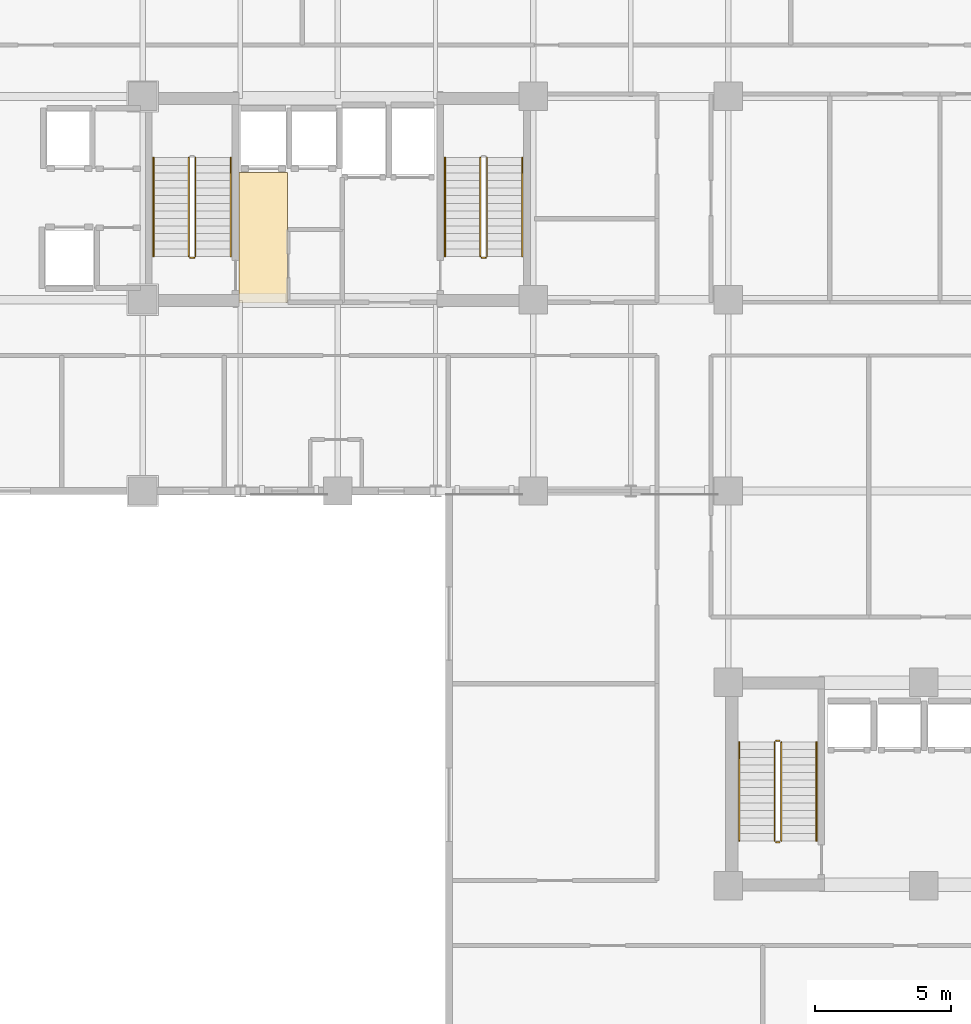
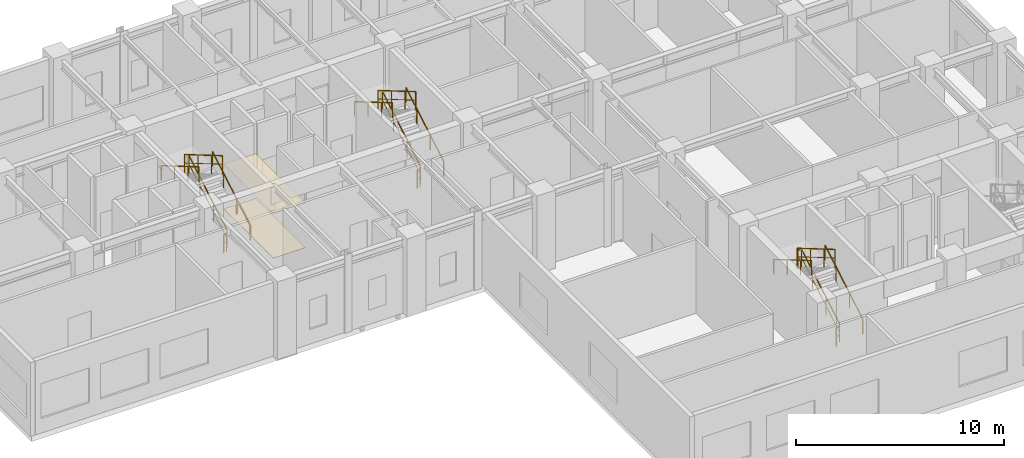
# One storey, part 11 of 14: 16 railings, 2 coverings.
"""IFC4 building model written with IfcOpenShell, lengths in metres."""

from ifc_helpers import new_model, si_unit, direction, frame, origin, origin_2d, place, context, subcontext, project, spatial, rectangle, extrude, source, transform, mapped, material, layer, layer_set, type_object, element, save


model = new_model("IFC4")

# Units and contexts
model_context = context("Model", 3, precision=1e-05, world=origin(), true_north=direction((0.0, 1.0)))
body_context = subcontext(model_context, "Body", "Model", "MODEL_VIEW")
ifc_project = project(units=[si_unit("LENGTHUNIT", "METRE"), si_unit("AREAUNIT", "SQUARE_METRE"), si_unit("VOLUMEUNIT", "CUBIC_METRE"), si_unit("PLANEANGLEUNIT", "RADIAN"), si_unit("MASSUNIT", "GRAM", prefix="KILO")], contexts=[model_context])

# Site, building, storey
site_placement = place(None, origin())
site = spatial("IfcSite", under=ifc_project, at=site_placement, CompositionType="ELEMENT")
building_placement = place(site_placement, origin())
building = spatial("IfcBuilding", under=site, at=building_placement, Name="Kaliganga Portal Commons", CompositionType="ELEMENT")
storey_placement = place(building_placement, frame((0.0, 0.0, 135.60009765625)))
storey = spatial("IfcBuildingStorey", under=building, at=storey_placement, Name="L34", CompositionType="ELEMENT", Elevation=135.60009765625)

# Railings
ifc_material_1 = material(Name="Galvanized Painted Steel Balustrade", Category="steel")
railing_type_1 = type_object("IfcRailingType", Name="RLG-STAIR-GRD", PredefinedType="GUARDRAIL", material=ifc_material_1)
railing_1_placement = place(storey_placement, frame((16.35009765625, 30.25, 0.164306640625)))
element("IfcRailing", 1, at=railing_1_placement, inside=storey, type_object=railing_type_1, Name="L34 ST-A1 stair guard 1", PredefinedType="GUARDRAIL", context=body_context, shape_type="SweptSolid", body=[
    extrude(rectangle(XDim=0.048095703125, YDim=0.048095703125, at=origin_2d()), frame((0.0, 0.0, 1.072265625), z_axis=(0.0, 0.862515142463, 0.50603125301), x_axis=(-1.0, 0.0, 0.0)), (0.0, 0.0, 1.0), 4.219970703125),
    extrude(rectangle(XDim=0.028076171875, YDim=0.028076171875, at=origin_2d()), frame((0.0, 0.0, 0.572021484375), z_axis=(0.0, 0.862515142463, 0.50603125301), x_axis=(-1.0, 0.0, 0.0)), (0.0, 0.0, 1.0), 4.219970703125),
    extrude(rectangle(XDim=0.0419921875, YDim=0.0419921875, at=origin_2d()), origin(), (0.0, 0.0, 1.0), 1.052001953125),
    extrude(rectangle(XDim=0.0419921875, YDim=0.0419921875, at=origin_2d()), frame((0.0, 1.293701171875, 0.759033203125)), (0.0, 0.0, 1.0), 1.052001953125),
    extrude(rectangle(XDim=0.0419921875, YDim=0.0419921875, at=origin_2d()), frame((0.0, 2.587646484375, 1.51806640625)), (0.0, 0.0, 1.0), 1.052001953125),
    extrude(rectangle(XDim=0.0419921875, YDim=0.0419921875, at=origin_2d()), frame((0.0, 3.639892578125, 2.135498046875)), (0.0, 0.0, 1.0), 1.052001953125),
])
railing_2_placement = place(storey_placement, frame((16.10009765625, 33.889892578125, 2.464111328125)))
element("IfcRailing", 2, at=railing_2_placement, inside=storey, type_object=railing_type_1, Name="L34 ST-A1 stair guard 3", PredefinedType="GUARDRAIL", context=body_context, shape_type="SweptSolid", body=[
    extrude(rectangle(XDim=0.048095703125, YDim=0.048095703125, at=origin_2d()), frame((0.0, 0.0, 1.072265625), z_axis=(0.0, -0.862489892076, 0.506074289079), x_axis=(1.0, 0.0, 0.0)), (0.0, 0.0, 1.0), 4.22021484375),
    extrude(rectangle(XDim=0.028076171875, YDim=0.028076171875, at=origin_2d()), frame((0.0, 0.0, 0.572021484375), z_axis=(0.0, -0.862489892076, 0.506074289079), x_axis=(1.0, 0.0, 0.0)), (0.0, 0.0, 1.0), 4.22021484375),
    extrude(rectangle(XDim=0.0419921875, YDim=0.0419921875, at=origin_2d()), origin(), (0.0, 0.0, 1.0), 1.052001953125),
    extrude(rectangle(XDim=0.0419921875, YDim=0.0419921875, at=origin_2d()), frame((0.0, -1.293701171875, 0.759033203125)), (0.0, 0.0, 1.0), 1.052001953125),
    extrude(rectangle(XDim=0.0419921875, YDim=0.0419921875, at=origin_2d()), frame((0.0, -2.58740234375, 1.518310546875)), (0.0, 0.0, 1.0), 1.052001953125),
    extrude(rectangle(XDim=0.0419921875, YDim=0.0419921875, at=origin_2d()), frame((0.0, -3.639892578125, 2.1357421875)), (0.0, 0.0, 1.0), 1.052001953125),
])
railing_3_placement = place(storey_placement, frame((16.300048828125, 30.199951171875, 0.0)))
element("IfcRailing", 3, at=railing_3_placement, inside=storey, type_object=railing_type_1, Name="L34 ST-A1 stair guard 4", PredefinedType="GUARDRAIL", context=body_context, shape_type="SweptSolid", body=[
    extrude(rectangle(XDim=0.048095703125, YDim=0.048095703125, at=origin_2d()), frame((0.0, 0.0, 1.076171875), z_axis=(-1.0, 0.0, 0.0), x_axis=(0.0, -1.0, 0.0)), (0.0, 0.0, 1.0), 0.150146484375),
    extrude(rectangle(XDim=0.028076171875, YDim=0.028076171875, at=origin_2d()), frame((0.0, 0.0, 0.572021484375), z_axis=(-1.0, 0.0, 0.0), x_axis=(0.0, -1.0, 0.0)), (0.0, 0.0, 1.0), 0.150146484375),
    extrude(rectangle(XDim=0.0419921875, YDim=0.0419921875, at=origin_2d()), origin(), (0.0, 0.0, 1.0), 1.052001953125),
    extrude(rectangle(XDim=0.0419921875, YDim=0.0419921875, at=origin_2d()), frame((-0.150146484375, 0.0, 0.0)), (0.0, 0.0, 1.0), 1.052001953125),
])
railing_4_placement = place(storey_placement, frame((27.10009765625, 30.25, 0.164306640625)))
element("IfcRailing", 4, at=railing_4_placement, inside=storey, type_object=railing_type_1, Name="L34 ST-A2 stair guard 1", PredefinedType="GUARDRAIL", context=body_context, shape_type="SweptSolid", body=[
    extrude(rectangle(XDim=0.048095703125, YDim=0.048095703125, at=origin_2d()), frame((0.0, 0.0, 1.072265625), z_axis=(0.0, 0.862515142463, 0.50603125301), x_axis=(-1.0, 0.0, 0.0)), (0.0, 0.0, 1.0), 4.219970703125),
    extrude(rectangle(XDim=0.028076171875, YDim=0.028076171875, at=origin_2d()), frame((0.0, 0.0, 0.572021484375), z_axis=(0.0, 0.862515142463, 0.50603125301), x_axis=(-1.0, 0.0, 0.0)), (0.0, 0.0, 1.0), 4.219970703125),
    extrude(rectangle(XDim=0.0419921875, YDim=0.0419921875, at=origin_2d()), origin(), (0.0, 0.0, 1.0), 1.052001953125),
    extrude(rectangle(XDim=0.0419921875, YDim=0.0419921875, at=origin_2d()), frame((0.0, 1.293701171875, 0.759033203125)), (0.0, 0.0, 1.0), 1.052001953125),
    extrude(rectangle(XDim=0.0419921875, YDim=0.0419921875, at=origin_2d()), frame((0.0, 2.587646484375, 1.51806640625)), (0.0, 0.0, 1.0), 1.052001953125),
    extrude(rectangle(XDim=0.0419921875, YDim=0.0419921875, at=origin_2d()), frame((0.0, 3.639892578125, 2.135498046875)), (0.0, 0.0, 1.0), 1.052001953125),
])
railing_5_placement = place(storey_placement, frame((26.85009765625, 33.889892578125, 2.464111328125)))
element("IfcRailing", 5, at=railing_5_placement, inside=storey, type_object=railing_type_1, Name="L34 ST-A2 stair guard 3", PredefinedType="GUARDRAIL", context=body_context, shape_type="SweptSolid", body=[
    extrude(rectangle(XDim=0.048095703125, YDim=0.048095703125, at=origin_2d()), frame((0.0, 0.0, 1.072265625), z_axis=(0.0, -0.862489892076, 0.506074289079), x_axis=(1.0, 0.0, 0.0)), (0.0, 0.0, 1.0), 4.22021484375),
    extrude(rectangle(XDim=0.028076171875, YDim=0.028076171875, at=origin_2d()), frame((0.0, 0.0, 0.572021484375), z_axis=(0.0, -0.862489892076, 0.506074289079), x_axis=(1.0, 0.0, 0.0)), (0.0, 0.0, 1.0), 4.22021484375),
    extrude(rectangle(XDim=0.0419921875, YDim=0.0419921875, at=origin_2d()), origin(), (0.0, 0.0, 1.0), 1.052001953125),
    extrude(rectangle(XDim=0.0419921875, YDim=0.0419921875, at=origin_2d()), frame((0.0, -1.293701171875, 0.759033203125)), (0.0, 0.0, 1.0), 1.052001953125),
    extrude(rectangle(XDim=0.0419921875, YDim=0.0419921875, at=origin_2d()), frame((0.0, -2.58740234375, 1.518310546875)), (0.0, 0.0, 1.0), 1.052001953125),
    extrude(rectangle(XDim=0.0419921875, YDim=0.0419921875, at=origin_2d()), frame((0.0, -3.639892578125, 2.1357421875)), (0.0, 0.0, 1.0), 1.052001953125),
])
railing_6_placement = place(storey_placement, frame((27.050048828125, 30.199951171875, 0.0)))
element("IfcRailing", 6, at=railing_6_placement, inside=storey, type_object=railing_type_1, Name="L34 ST-A2 stair guard 4", PredefinedType="GUARDRAIL", context=body_context, shape_type="SweptSolid", body=[
    extrude(rectangle(XDim=0.048095703125, YDim=0.048095703125, at=origin_2d()), frame((0.0, 0.0, 1.076171875), z_axis=(-1.0, 0.0, 0.0), x_axis=(0.0, -1.0, 0.0)), (0.0, 0.0, 1.0), 0.150146484375),
    extrude(rectangle(XDim=0.028076171875, YDim=0.028076171875, at=origin_2d()), frame((0.0, 0.0, 0.572021484375), z_axis=(-1.0, 0.0, 0.0), x_axis=(0.0, -1.0, 0.0)), (0.0, 0.0, 1.0), 0.150146484375),
    extrude(rectangle(XDim=0.0419921875, YDim=0.0419921875, at=origin_2d()), origin(), (0.0, 0.0, 1.0), 1.052001953125),
    extrude(rectangle(XDim=0.0419921875, YDim=0.0419921875, at=origin_2d()), frame((-0.150146484375, 0.0, 0.0)), (0.0, 0.0, 1.0), 1.052001953125),
])
railing_7_placement = place(storey_placement, frame((37.949951171875, 8.699951171875, 0.164306640625)))
element("IfcRailing", 7, at=railing_7_placement, inside=storey, type_object=railing_type_1, Name="L34 ST-B1 stair guard 1", PredefinedType="GUARDRAIL", context=body_context, shape_type="SweptSolid", body=[
    extrude(rectangle(XDim=0.048095703125, YDim=0.048095703125, at=origin_2d()), frame((0.0, 0.0, 1.072265625), z_axis=(0.0, 0.862529955373, 0.506006004), x_axis=(-1.0, 0.0, 0.0)), (0.0, 0.0, 1.0), 4.22021484375),
    extrude(rectangle(XDim=0.028076171875, YDim=0.028076171875, at=origin_2d()), frame((0.0, 0.0, 0.572021484375), z_axis=(0.0, 0.862529955373, 0.506006004), x_axis=(-1.0, 0.0, 0.0)), (0.0, 0.0, 1.0), 4.22021484375),
    extrude(rectangle(XDim=0.0419921875, YDim=0.0419921875, at=origin_2d()), origin(), (0.0, 0.0, 1.0), 1.052001953125),
    extrude(rectangle(XDim=0.0419921875, YDim=0.0419921875, at=origin_2d()), frame((0.0, 1.293701171875, 0.759033203125)), (0.0, 0.0, 1.0), 1.052001953125),
    extrude(rectangle(XDim=0.0419921875, YDim=0.0419921875, at=origin_2d()), frame((0.0, 2.587646484375, 1.51806640625)), (0.0, 0.0, 1.0), 1.052001953125),
    extrude(rectangle(XDim=0.0419921875, YDim=0.0419921875, at=origin_2d()), frame((0.0, 3.64013671875, 2.135498046875)), (0.0, 0.0, 1.0), 1.052001953125),
])
railing_8_placement = place(storey_placement, frame((37.89990234375, 12.389892578125, 2.2998046875)))
element("IfcRailing", 8, at=railing_8_placement, inside=storey, type_object=railing_type_1, Name="L34 ST-B1 stair guard 2", PredefinedType="GUARDRAIL", context=body_context, shape_type="SweptSolid", body=[
    extrude(rectangle(XDim=0.048095703125, YDim=0.048095703125, at=origin_2d()), frame((0.0, 0.0, 1.076171875), z_axis=(-1.0, 0.0, 0.0), x_axis=(0.0, -1.0, 0.0)), (0.0, 0.0, 1.0), 0.14990234375),
    extrude(rectangle(XDim=0.028076171875, YDim=0.028076171875, at=origin_2d()), frame((0.0, 0.0, 0.572021484375), z_axis=(-1.0, 0.0, 0.0), x_axis=(0.0, -1.0, 0.0)), (0.0, 0.0, 1.0), 0.14990234375),
    extrude(rectangle(XDim=0.0419921875, YDim=0.0419921875, at=origin_2d()), frame((-0.14990234375, 0.0, 0.0)), (0.0, 0.0, 1.0), 1.052001953125),
])
railing_9_placement = place(storey_placement, frame((37.699951171875, 12.340087890625, 2.464111328125)))
element("IfcRailing", 9, at=railing_9_placement, inside=storey, type_object=railing_type_1, Name="L34 ST-B1 stair guard 3", PredefinedType="GUARDRAIL", context=body_context, shape_type="SweptSolid", body=[
    extrude(rectangle(XDim=0.048095703125, YDim=0.048095703125, at=origin_2d()), frame((0.0, 0.0, 1.072265625), z_axis=(0.0, -0.862504707072, 0.506049039401), x_axis=(1.0, 0.0, 0.0)), (0.0, 0.0, 1.0), 4.220458984375),
    extrude(rectangle(XDim=0.028076171875, YDim=0.028076171875, at=origin_2d()), frame((0.0, 0.0, 0.572021484375), z_axis=(0.0, -0.862504707072, 0.506049039401), x_axis=(1.0, 0.0, 0.0)), (0.0, 0.0, 1.0), 4.220458984375),
    extrude(rectangle(XDim=0.0419921875, YDim=0.0419921875, at=origin_2d()), origin(), (0.0, 0.0, 1.0), 1.052001953125),
    extrude(rectangle(XDim=0.0419921875, YDim=0.0419921875, at=origin_2d()), frame((0.0, -1.293701171875, 0.759033203125)), (0.0, 0.0, 1.0), 1.052001953125),
    extrude(rectangle(XDim=0.0419921875, YDim=0.0419921875, at=origin_2d()), frame((0.0, -2.58740234375, 1.51806640625)), (0.0, 0.0, 1.0), 1.052001953125),
    extrude(rectangle(XDim=0.0419921875, YDim=0.0419921875, at=origin_2d()), frame((0.0, -3.64013671875, 2.1357421875)), (0.0, 0.0, 1.0), 1.052001953125),
])
railing_10_placement = place(storey_placement, frame((37.89990234375, 8.64990234375, 0.0)))
element("IfcRailing", 10, at=railing_10_placement, inside=storey, type_object=railing_type_1, Name="L34 ST-B1 stair guard 4", PredefinedType="GUARDRAIL", context=body_context, shape_type="SweptSolid", body=[
    extrude(rectangle(XDim=0.048095703125, YDim=0.048095703125, at=origin_2d()), frame((0.0, 0.0, 1.076171875), z_axis=(-1.0, 0.0, 0.0), x_axis=(0.0, -1.0, 0.0)), (0.0, 0.0, 1.0), 0.14990234375),
    extrude(rectangle(XDim=0.028076171875, YDim=0.028076171875, at=origin_2d()), frame((0.0, 0.0, 0.572021484375), z_axis=(-1.0, 0.0, 0.0), x_axis=(0.0, -1.0, 0.0)), (0.0, 0.0, 1.0), 0.14990234375),
    extrude(rectangle(XDim=0.0419921875, YDim=0.0419921875, at=origin_2d()), frame((-0.14990234375, 0.0, 0.0)), (0.0, 0.0, 1.0), 1.052001953125),
])
ifc_material_2 = material(Name="Brushed Stainless Steel 316", Category="steel")
railing_type_2 = type_object("IfcRailingType", Name="RLG-STAIR-HR", PredefinedType="HANDRAIL", material=ifc_material_2)
railing_11_placement = place(storey_placement, frame((17.64990234375, 30.25, 0.164306640625)))
element("IfcRailing", 11, at=railing_11_placement, inside=storey, type_object=railing_type_2, Name="L34 ST-A1 stair handrail 1", PredefinedType="HANDRAIL", context=body_context, shape_type="SweptSolid", body=[
    extrude(rectangle(XDim=0.048095703125, YDim=0.048095703125, at=origin_2d()), frame((0.0, 0.0, 0.8720703125), z_axis=(0.0, 0.862515142463, 0.50603125301), x_axis=(-1.0, 0.0, 0.0)), (0.0, 0.0, 1.0), 4.219970703125),
    extrude(rectangle(XDim=0.0419921875, YDim=0.0419921875, at=origin_2d()), origin(), (0.0, 0.0, 1.0), 0.851806640625),
    extrude(rectangle(XDim=0.0419921875, YDim=0.0419921875, at=origin_2d()), frame((0.0, 1.293701171875, 0.759033203125)), (0.0, 0.0, 1.0), 0.851806640625),
    extrude(rectangle(XDim=0.0419921875, YDim=0.0419921875, at=origin_2d()), frame((0.0, 2.587646484375, 1.51806640625)), (0.0, 0.0, 1.0), 0.851806640625),
    extrude(rectangle(XDim=0.0419921875, YDim=0.0419921875, at=origin_2d()), frame((0.0, 3.639892578125, 2.135498046875)), (0.0, 0.0, 1.0), 0.851806640625),
])
railing_12_placement = place(storey_placement, frame((14.800048828125, 33.889892578125, 2.464111328125)))
element("IfcRailing", 12, at=railing_12_placement, inside=storey, type_object=railing_type_2, Name="L34 ST-A1 stair handrail 2", PredefinedType="HANDRAIL", context=body_context, shape_type="SweptSolid", body=[
    extrude(rectangle(XDim=0.048095703125, YDim=0.048095703125, at=origin_2d()), frame((0.0, 0.0, 0.8720703125), z_axis=(0.0, -0.862489892076, 0.506074289079), x_axis=(1.0, 0.0, 0.0)), (0.0, 0.0, 1.0), 4.22021484375),
    extrude(rectangle(XDim=0.0419921875, YDim=0.0419921875, at=origin_2d()), origin(), (0.0, 0.0, 1.0), 0.851806640625),
    extrude(rectangle(XDim=0.0419921875, YDim=0.0419921875, at=origin_2d()), frame((0.0, -1.293701171875, 0.759033203125)), (0.0, 0.0, 1.0), 0.851806640625),
    extrude(rectangle(XDim=0.0419921875, YDim=0.0419921875, at=origin_2d()), frame((0.0, -2.58740234375, 1.518310546875)), (0.0, 0.0, 1.0), 0.851806640625),
    extrude(rectangle(XDim=0.0419921875, YDim=0.0419921875, at=origin_2d()), frame((0.0, -3.639892578125, 2.1357421875)), (0.0, 0.0, 1.0), 0.851806640625),
])
railing_13_placement = place(storey_placement, frame((28.39990234375, 30.25, 0.164306640625)))
element("IfcRailing", 13, at=railing_13_placement, inside=storey, type_object=railing_type_2, Name="L34 ST-A2 stair handrail 1", PredefinedType="HANDRAIL", context=body_context, shape_type="SweptSolid", body=[
    extrude(rectangle(XDim=0.048095703125, YDim=0.048095703125, at=origin_2d()), frame((0.0, 0.0, 0.8720703125), z_axis=(0.0, 0.862515142463, 0.50603125301), x_axis=(-1.0, 0.0, 0.0)), (0.0, 0.0, 1.0), 4.219970703125),
    extrude(rectangle(XDim=0.0419921875, YDim=0.0419921875, at=origin_2d()), origin(), (0.0, 0.0, 1.0), 0.851806640625),
    extrude(rectangle(XDim=0.0419921875, YDim=0.0419921875, at=origin_2d()), frame((0.0, 1.293701171875, 0.759033203125)), (0.0, 0.0, 1.0), 0.851806640625),
    extrude(rectangle(XDim=0.0419921875, YDim=0.0419921875, at=origin_2d()), frame((0.0, 2.587646484375, 1.51806640625)), (0.0, 0.0, 1.0), 0.851806640625),
    extrude(rectangle(XDim=0.0419921875, YDim=0.0419921875, at=origin_2d()), frame((0.0, 3.639892578125, 2.135498046875)), (0.0, 0.0, 1.0), 0.851806640625),
])
railing_14_placement = place(storey_placement, frame((25.550048828125, 33.889892578125, 2.464111328125)))
element("IfcRailing", 14, at=railing_14_placement, inside=storey, type_object=railing_type_2, Name="L34 ST-A2 stair handrail 2", PredefinedType="HANDRAIL", context=body_context, shape_type="SweptSolid", body=[
    extrude(rectangle(XDim=0.048095703125, YDim=0.048095703125, at=origin_2d()), frame((0.0, 0.0, 0.8720703125), z_axis=(0.0, -0.862489892076, 0.506074289079), x_axis=(1.0, 0.0, 0.0)), (0.0, 0.0, 1.0), 4.22021484375),
    extrude(rectangle(XDim=0.0419921875, YDim=0.0419921875, at=origin_2d()), origin(), (0.0, 0.0, 1.0), 0.851806640625),
    extrude(rectangle(XDim=0.0419921875, YDim=0.0419921875, at=origin_2d()), frame((0.0, -1.293701171875, 0.759033203125)), (0.0, 0.0, 1.0), 0.851806640625),
    extrude(rectangle(XDim=0.0419921875, YDim=0.0419921875, at=origin_2d()), frame((0.0, -2.58740234375, 1.518310546875)), (0.0, 0.0, 1.0), 0.851806640625),
    extrude(rectangle(XDim=0.0419921875, YDim=0.0419921875, at=origin_2d()), frame((0.0, -3.639892578125, 2.1357421875)), (0.0, 0.0, 1.0), 0.851806640625),
])
railing_15_placement = place(storey_placement, frame((39.25, 8.699951171875, 0.164306640625)))
element("IfcRailing", 15, at=railing_15_placement, inside=storey, type_object=railing_type_2, Name="L34 ST-B1 stair handrail 1", PredefinedType="HANDRAIL", context=body_context, shape_type="SweptSolid", body=[
    extrude(rectangle(XDim=0.048095703125, YDim=0.048095703125, at=origin_2d()), frame((0.0, 0.0, 0.8720703125), z_axis=(0.0, 0.862529955373, 0.506006004), x_axis=(-1.0, 0.0, 0.0)), (0.0, 0.0, 1.0), 4.22021484375),
    extrude(rectangle(XDim=0.0419921875, YDim=0.0419921875, at=origin_2d()), origin(), (0.0, 0.0, 1.0), 0.851806640625),
    extrude(rectangle(XDim=0.0419921875, YDim=0.0419921875, at=origin_2d()), frame((0.0, 1.293701171875, 0.759033203125)), (0.0, 0.0, 1.0), 0.851806640625),
    extrude(rectangle(XDim=0.0419921875, YDim=0.0419921875, at=origin_2d()), frame((0.0, 2.587646484375, 1.51806640625)), (0.0, 0.0, 1.0), 0.851806640625),
    extrude(rectangle(XDim=0.0419921875, YDim=0.0419921875, at=origin_2d()), frame((0.0, 3.64013671875, 2.135498046875)), (0.0, 0.0, 1.0), 0.851806640625),
])
railing_16_placement = place(storey_placement, frame((36.39990234375, 12.340087890625, 2.464111328125)))
element("IfcRailing", 16, at=railing_16_placement, inside=storey, type_object=railing_type_2, Name="L34 ST-B1 stair handrail 2", PredefinedType="HANDRAIL", context=body_context, shape_type="SweptSolid", body=[
    extrude(rectangle(XDim=0.048095703125, YDim=0.048095703125, at=origin_2d()), frame((0.0, 0.0, 0.8720703125), z_axis=(0.0, -0.862504707072, 0.506049039401), x_axis=(1.0, 0.0, 0.0)), (0.0, 0.0, 1.0), 4.220458984375),
    extrude(rectangle(XDim=0.0419921875, YDim=0.0419921875, at=origin_2d()), origin(), (0.0, 0.0, 1.0), 0.851806640625),
    extrude(rectangle(XDim=0.0419921875, YDim=0.0419921875, at=origin_2d()), frame((0.0, -1.293701171875, 0.759033203125)), (0.0, 0.0, 1.0), 0.851806640625),
    extrude(rectangle(XDim=0.0419921875, YDim=0.0419921875, at=origin_2d()), frame((0.0, -2.58740234375, 1.51806640625)), (0.0, 0.0, 1.0), 0.851806640625),
    extrude(rectangle(XDim=0.0419921875, YDim=0.0419921875, at=origin_2d()), frame((0.0, -3.64013671875, 2.1357421875)), (0.0, 0.0, 1.0), 0.851806640625),
])

# Coverings
ifc_material_3 = material(Name="Acoustic Micro-Perforated Gypsum Ceiling", Category="gypsum")
ifc_layer_1 = layer(ifc_material_3, 0.02001953125)
ifc_layer_set_1 = layer_set([ifc_layer_1], Name="Acoustic Micro-Perforated Gypsum Ceiling")
covering_type_1 = type_object("IfcCoveringType", Name="COV-CEIL-GYP", PredefinedType="CEILING", material=ifc_layer_set_1)
shared_shape_1 = source(origin(), body_context, "Body", "SweptSolid", [
    extrude(rectangle(XDim=1.780029296875, YDim=4.780029296875, at=origin_2d()), origin(), (0.0, 0.0, 1.0), 0.02001953125),
])
covering_1_placement = place(storey_placement, frame((18.85009765625, 30.949951171875, 2.639892578125), z_axis=(0.0, 0.0, 1.0), x_axis=(1.0, 0.0, 0.0)))
element("IfcCovering", 17, at=covering_1_placement, inside=storey, type_object=covering_type_1, Name="Acoustic Ceiling L34 PLOB_A", PredefinedType="CEILING", context=body_context, shape_type="MappedRepresentation", body=[
    mapped(shared_shape_1, transform((0.0, 0.0, 0.0), x_axis=(1.0, 0.0, 0.0), y_axis=(0.0, 1.0, 0.0), z_axis=(0.0, 0.0, 1.0), scale=1.0)),
])
ifc_material_4 = material(Name="Polished Sylhet Stone Terrazzo Flooring", Category="masonry")
ifc_layer_2 = layer(ifc_material_4, 0.02490234375)
ifc_layer_set_2 = layer_set([ifc_layer_2], Name="Polished Sylhet Stone Terrazzo Flooring")
covering_type_2 = type_object("IfcCoveringType", Name="COV-FLR-TERRAZZO", PredefinedType="FLOORING", material=ifc_layer_set_2)
shared_shape_2 = source(origin(), body_context, "Body", "SweptSolid", [
    extrude(rectangle(XDim=1.780029296875, YDim=4.780029296875, at=origin_2d()), origin(), (0.0, 0.0, 1.0), 0.02490234375),
])
covering_2_placement = place(storey_placement, frame((18.85009765625, 30.949951171875, 0.00048828125), z_axis=(0.0, 0.0, 1.0), x_axis=(1.0, 0.0, 0.0)))
element("IfcCovering", 18, at=covering_2_placement, inside=storey, type_object=covering_type_2, Name="Terrazzo Flooring L34 PLOB_A", PredefinedType="FLOORING", context=body_context, shape_type="MappedRepresentation", body=[
    mapped(shared_shape_2, transform((0.0, 0.0, 0.0), x_axis=(1.0, 0.0, 0.0), y_axis=(0.0, 1.0, 0.0), z_axis=(0.0, 0.0, 1.0), scale=1.0)),
])

save(model, "model.ifc")
